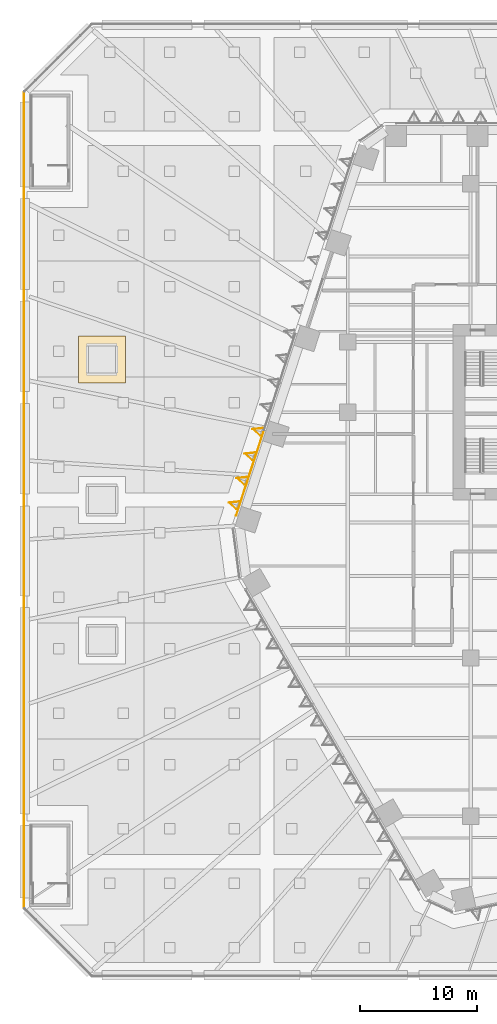
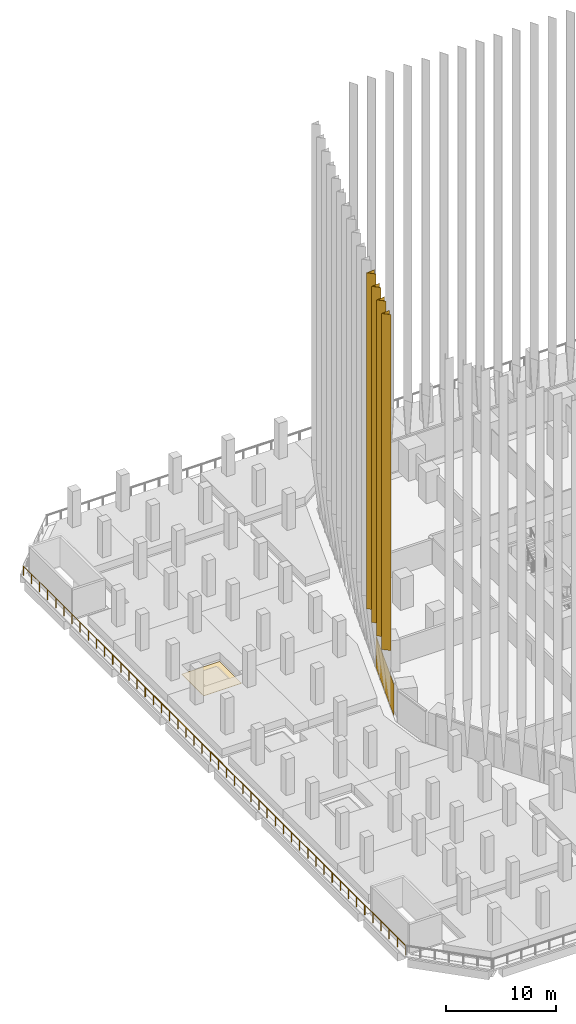
# One storey, part 33 of 51: 6 coverings, 1 railing, 1 element without a shape of its own.
"""IFC4 building model written with IfcOpenShell, lengths in metres."""

import ifcopenshell
import ifcopenshell.guid

model = None  # the IFC model being written
_history = None  # IfcOwnerHistory: only IFC2X3 demands one
_inside = {}  # id of a spatial element -> (the spatial element, [elements in it])
_under = {}  # id of a project, library or spatial element -> (it, [spatial elements below it])
_declared = {}  # id of a project -> (the project, [libraries it declares])
_typed = {}  # id of a type object -> (the type object, [elements of that type])
_made_of = {}  # id of a material, layer set ... -> (it, [elements and type objects made of it])


def new_model(schema):
    """Start an empty IFC model of exactly this schema.

    Asked for "IFC4X3", IfcOpenShell would pick the latest addendum, in which some entities
    have other attributes; the version numbers below select the first issue.
    IFC2X3 requires an IfcOwnerHistory on every rooted entity: one is made here for all.
    """
    global model, _history
    if schema == "IFC4X3":
        model = ifcopenshell.file(schema_version=(4, 3, 0, 0))
    else:
        model = ifcopenshell.file(schema=schema)
    _inside.clear()
    _under.clear()
    _declared.clear()
    _typed.clear()
    _made_of.clear()
    _history = None
    if model.schema == "IFC2X3":
        org = make("IfcOrganization", Name="unknown")
        user = make(
            "IfcPersonAndOrganization",
            ThePerson=make("IfcPerson", FamilyName="unknown"),
            TheOrganization=org,
        )
        app = make(
            "IfcApplication",
            ApplicationDeveloper=org,
            Version="unknown",
            ApplicationFullName="unknown",
            ApplicationIdentifier="unknown",
        )
        _history = make(
            "IfcOwnerHistory",
            OwningUser=user,
            OwningApplication=app,
            ChangeAction="ADDED",
            CreationDate=0,
        )
    return model


def make(cls, **values):
    """One entity of the class cls with the attributes given. An attribute that is None is left unset."""
    return model.create_entity(
        cls, **{name: value for name, value in values.items() if value is not None}
    )


def rooted(cls, **values):
    """An entity with a GlobalId (a new one), such as an element, a storey or a relation."""
    return make(cls, GlobalId=ifcopenshell.guid.new(), OwnerHistory=_history, **values)


def si_unit(unit_type, name, prefix=None):
    """IfcSIUnit, for example si_unit("LENGTHUNIT", "METRE", prefix="MILLI")."""
    return make("IfcSIUnit", UnitType=unit_type, Prefix=prefix, Name=name)


def assignment(units):
    """IfcUnitAssignment: the units of a project."""
    return None if units is None else make("IfcUnitAssignment", Units=units)


def point(xyz):
    """IfcCartesianPoint."""
    return None if xyz is None else make("IfcCartesianPoint", Coordinates=xyz)


def direction(xyz):
    """IfcDirection."""
    return None if xyz is None else make("IfcDirection", DirectionRatios=xyz)


def frame(location, z_axis=None, x_axis=None):
    """IfcAxis2Placement3D, a coordinate frame: its origin and axes. An axis left out is left unset."""
    return make(
        "IfcAxis2Placement3D",
        Location=point(location),
        Axis=direction(z_axis),
        RefDirection=direction(x_axis),
    )


def frame_2d(location, x_axis=None):
    """IfcAxis2Placement2D, a coordinate frame in the plane: its origin and x axis."""
    return make(
        "IfcAxis2Placement2D", Location=point(location), RefDirection=direction(x_axis)
    )


def origin():
    """The frame at (0, 0, 0) with its axes left unset."""
    return frame((0.0, 0.0, 0.0))


def origin_2d():
    """The frame at (0, 0) in the plane with its x axis left unset."""
    return frame_2d((0.0, 0.0))


def place(relative_to, where):
    """IfcLocalPlacement: puts the frame where relative to a parent placement (None: the world)."""
    return make(
        "IfcLocalPlacement", PlacementRelTo=relative_to, RelativePlacement=where
    )


def context(
    kind, dimensions, precision=None, world=None, true_north=None, identifier=None
):
    """IfcGeometricRepresentationContext, for example the 3D "Model" context."""
    return make(
        "IfcGeometricRepresentationContext",
        ContextIdentifier=identifier,
        ContextType=kind,
        CoordinateSpaceDimension=dimensions,
        Precision=precision,
        WorldCoordinateSystem=world,
        TrueNorth=true_north,
    )


def subcontext(parent, identifier, kind, view, scale=None):
    """IfcGeometricRepresentationSubContext, for example "Body" below "Model"."""
    return make(
        "IfcGeometricRepresentationSubContext",
        ContextIdentifier=identifier,
        ContextType=kind,
        ParentContext=parent,
        TargetScale=scale,
        TargetView=view,
    )


def project(units=None, contexts=None):
    """IfcProject with its units and contexts."""
    return rooted(
        "IfcProject",
        Name="project",
        RepresentationContexts=contexts,
        UnitsInContext=assignment(units),
    )


def spatial(cls, under=None, at=None, **own):
    """A site, building, storey or space (cls), placed at a placement, below another one or the project."""
    s = rooted(cls, ObjectPlacement=at, **own)
    if under is not None:
        _under.setdefault(under.id(), (under, []))[1].append(s)
    return s


def polyline(points):
    """IfcPolyline through the points."""
    return make("IfcPolyline", Points=[point(p) for p in points])


def profile(cls, at=None, kind="AREA", **sizes):
    """A parametric profile (cls). Its sizes go by their IFC names, for example OverallWidth=200.0."""
    return make(cls, ProfileType=kind, Position=at, **sizes)


def rectangle(**sizes):
    """IfcRectangleProfileDef."""
    return profile("IfcRectangleProfileDef", **sizes)


def circle(**sizes):
    """IfcCircleProfileDef."""
    return profile("IfcCircleProfileDef", **sizes)


def outline(outer, holes=None, kind="AREA"):
    """IfcArbitraryClosedProfileDef: a profile drawn as a closed curve; with holes, ...WithVoids."""
    if holes is None:
        return make("IfcArbitraryClosedProfileDef", ProfileType=kind, OuterCurve=outer)
    return make(
        "IfcArbitraryProfileDefWithVoids",
        ProfileType=kind,
        OuterCurve=outer,
        InnerCurves=holes,
    )


def extrude(swept, where, along, depth):
    """IfcExtrudedAreaSolid: the profile swept, set in the frame where, extruded along a direction by depth."""
    return make(
        "IfcExtrudedAreaSolid",
        SweptArea=swept,
        Position=where,
        ExtrudedDirection=direction(along),
        Depth=depth,
    )


def shape(context_of_items, identifier, shape_type, items):
    """IfcShapeRepresentation: the items that make up one representation, for example the "Body"."""
    return make(
        "IfcShapeRepresentation",
        ContextOfItems=context_of_items,
        RepresentationIdentifier=identifier,
        RepresentationType=shape_type,
        Items=items,
    )


def material(Name=None, Category=None):
    """IfcMaterial."""
    return make("IfcMaterial", Name=Name, Category=Category)


def layer(
    of_material, thickness, ventilated=None, Name=None, Category=None, Priority=None
):
    """IfcMaterialLayer: one layer of a wall or slab, of a material (None: an air gap)."""
    return make(
        "IfcMaterialLayer",
        Material=of_material,
        LayerThickness=thickness,
        IsVentilated=ventilated,
        Name=Name,
        Category=Category,
        Priority=Priority,
    )


def layer_set(layers, Name=None):
    """IfcMaterialLayerSet."""
    return make("IfcMaterialLayerSet", MaterialLayers=layers, LayerSetName=Name)


def material_profile(
    of_material, cross_section, Name=None, Category=None, Priority=None
):
    """IfcMaterialProfile: a cross section and its material."""
    return make(
        "IfcMaterialProfile",
        Name=Name,
        Material=of_material,
        Profile=cross_section,
        Priority=Priority,
        Category=Category,
    )


def profile_set(profiles, Name=None, composite=None):
    """IfcMaterialProfileSet."""
    return make(
        "IfcMaterialProfileSet",
        Name=Name,
        MaterialProfiles=profiles,
        CompositeProfile=composite,
    )


def made_of(thing, what):
    """Note that an element or type object is made of a material, layer set ...; save() writes the relation."""
    if what is not None:
        _made_of.setdefault(what.id(), (what, []))[1].append(thing)
    return thing


def type_object(cls, material=None, **own):
    """A type object (cls), such as IfcWallType, which elements share."""
    return made_of(rooted(cls, **own), material)


def element(
    cls,
    number,
    at=None,
    inside=None,
    cuts=None,
    type_object=None,
    material=None,
    context=None,
    identifier="Body",
    shape_type=None,
    held_by="IfcProductDefinitionShape",
    body=None,
    shapes=None,
    **own,
):
    """One element of the class cls, such as IfcWall. Its Tag is "e" and its number.

    at: its placement. inside: the storey or other place that contains it. cuts: it is an
    opening in that element (IfcRelVoidsElement). A single representation is given by context,
    identifier, shape_type and body (its items); several are given by shapes. held_by: the class
    of the entity that holds the representations. save() writes the other relations.
    """
    e = rooted(cls, Tag="e%d" % number, ObjectPlacement=at, **own)
    if body is not None:
        shapes = [shape(context, identifier, shape_type, body)]
    if shapes is not None:
        e.Representation = make(held_by, Representations=shapes)
    if inside is not None:
        _inside.setdefault(inside.id(), (inside, []))[1].append(e)
    if cuts is not None:
        rooted(
            "IfcRelVoidsElement", RelatingBuildingElement=cuts, RelatedOpeningElement=e
        )
    if type_object is not None:
        _typed.setdefault(type_object.id(), (type_object, []))[1].append(e)
    return made_of(e, material)


def aggregate(whole, parts):
    """IfcRelAggregates: a whole, such as a stair, and the parts it consists of."""
    return rooted("IfcRelAggregates", RelatingObject=whole, RelatedObjects=parts)


def save(model, path):
    """Write the relations noted so far, then the file.

    IfcRelAggregates (storeys below a building ...), IfcRelContainedInSpatialStructure (elements
    in a storey), IfcRelDefinesByType, IfcRelAssociatesMaterial and IfcRelDeclares: one each for
    every whole, place, type object, material and project.
    """
    for whole, parts in _under.values():
        aggregate(whole, parts)
    for where, things in _inside.values():
        rooted(
            "IfcRelContainedInSpatialStructure",
            RelatedElements=things,
            RelatingStructure=where,
        )
    for kind, things in _typed.values():
        rooted("IfcRelDefinesByType", RelatedObjects=things, RelatingType=kind)
    for what, things in _made_of.values():
        rooted("IfcRelAssociatesMaterial", RelatedObjects=things, RelatingMaterial=what)
    for by, libraries in _declared.values():
        rooted("IfcRelDeclares", RelatingContext=by, RelatedDefinitions=libraries)
    model.write(path)


model = new_model("IFC4")

# Units and contexts
model_context = context("Model", 3, precision=1e-05, world=origin(), true_north=direction((0.0, 1.0)))
body_context = subcontext(model_context, "Body", "Model", "MODEL_VIEW")
ifc_project = project(units=[si_unit("LENGTHUNIT", "METRE"), si_unit("AREAUNIT", "SQUARE_METRE"), si_unit("VOLUMEUNIT", "CUBIC_METRE"), si_unit("PLANEANGLEUNIT", "RADIAN"), si_unit("MASSUNIT", "GRAM", prefix="KILO")], contexts=[model_context])

# Site, building, storey
site_placement = place(None, origin())
site = spatial("IfcSite", under=ifc_project, at=site_placement, CompositionType="ELEMENT")
building_placement = place(site_placement, origin())
building = spatial("IfcBuilding", under=site, at=building_placement, Name="Isthmus Gate Tower", CompositionType="ELEMENT")
storey_placement = place(building_placement, frame((0.0, 0.0, 36.0)))
storey = spatial("IfcBuildingStorey", under=building, at=storey_placement, Name="L06", CompositionType="ELEMENT", Elevation=36.0)

# Curtain wall, covering
ifc_material_1 = material(Name="Aluminium, pale champagne anodised", Category="aluminium")
ifc_layer_1 = layer(ifc_material_1, 0.199951171875)
ifc_layer_set_1 = layer_set([ifc_layer_1], Name="CW-1 UNITISED CURTAIN WALL 200 DEEP")
curtain_wall_type = type_object("IfcCurtainWallType", Name="CW-1 UNITISED CURTAIN WALL 200 DEEP", PredefinedType="NOTDEFINED", material=ifc_layer_set_1)
curtain_wall_placement = place(storey_placement, origin())
curtain_wall = element("IfcCurtainWall", 1, at=curtain_wall_placement, inside=storey, type_object=curtain_wall_type, Name="CW-1 NW L06", PredefinedType="NOTDEFINED")
ifc_material_2 = material(Name="Aluminium composite panel, pale champagne anodised", Category="aluminium")
ifc_layer_2 = layer(ifc_material_2, 0.0400390625)
ifc_layer_set_2 = layer_set([ifc_layer_2], Name="CW-1 PALE METAL PANEL 40")
covering_type_1 = type_object("IfcCoveringType", Name="CW-1 PALE METAL PANEL 40", PredefinedType="CLADDING", material=ifc_layer_set_2)
covering_1_placement = place(storey_placement, frame((-32.35107421875, 2.30712890625, 0.0), z_axis=(0.0, 0.0, 1.0), x_axis=(-0.309016994375, -0.951056516295, 0.0)))
covering_1 = element("IfcCovering", 2, at=covering_1_placement, type_object=covering_type_1, Name="CW-1 pale metal panel", PredefinedType="CLADDING", context=body_context, shape_type="SweptSolid", body=[
    extrude(rectangle(XDim=7.689453125, YDim=0.0400390625, at=origin_2d()), origin(), (0.0, 0.0, 1.0), 3.5),
])
aggregate(curtain_wall, [covering_1])

# Coverings
ifc_material_3 = material(Name="Structural steel ASTM A572 Gr 50, white paint system", Category="steel")
ifc_material_profile = material_profile(ifc_material_3, outline(polyline([(0.0, -0.356201171875), (0.800048828125, 0.0), (0.0, 0.356201171875), (0.0, 0.3232421875), (0.726318359375, 0.0), (0.0, -0.3232421875), (0.0, -0.356201171875)])), Name="V800")
ifc_profile_set = profile_set([ifc_material_profile], Name="Structural steel ASTM A572 Gr 50, white paint system")
covering_type_2 = type_object("IfcCoveringType", Name="FIN V 800 DEEP", PredefinedType="CLADDING", material=ifc_profile_set)
for number, where, z_axis, x_axis, name in (
    (3, (-31.389892578125, 5.81591796875, 6.89990234375), (0.0, 0.0, 1.0), (-0.951056516295, 0.309016994375, 0.0), "FIN"),
    (4, (-32.069580078125, 3.7236328125, 6.89990234375), (0.0, 0.0, 1.0), (-0.951056516295, 0.309016994375, 0.0), "FIN"),
    (5, (-32.74951171875, 1.63134765625, 6.89990234375), (0.0, 0.0, 1.0), (-0.951056516295, 0.309016994375, 0.0), "FIN"),
    (6, (-33.429443359375, -0.461181640625, 6.89990234375), (0.0, 0.0, 1.0), (-0.951056516295, 0.309016994375, 0.0), "FIN"),
):
    element("IfcCovering", number, at=place(storey_placement, frame(where, z_axis=z_axis, x_axis=x_axis)), inside=storey, type_object=covering_type_2, Name=name, ObjectType="FIN", PredefinedType="CLADDING", context=body_context, shape_type="SweptSolid", body=[
        extrude(outline(polyline([(0.0, -0.356201171875), (0.800048828125, 0.0), (0.0, 0.356201171875), (0.0, 0.3232421875), (0.726318359375, 0.0), (0.0, -0.3232421875), (0.0, -0.356201171875)])), origin(), (0.0, 0.0, 1.0), 37.35009765625),
    ])

# Railing
ifc_material_4 = material(Name="Stainless steel posts and toughened laminated glass", Category="steel")
railing_type = type_object("IfcRailingType", Name="GUARD 1100 TERRACE GLASS", PredefinedType="GUARDRAIL", material=ifc_material_4)
railing_placement = place(storey_placement, frame((-51.64990234375, -34.794921875, 0.0)))
element("IfcRailing", 7, at=railing_placement, inside=storey, type_object=railing_type, Name="TERRACE GUARD", PredefinedType="GUARDRAIL", context=body_context, shape_type="SweptSolid", body=[
    extrude(circle(Radius=0.02490234375, at=origin_2d()), frame((0.0, 0.0, 1.0751953125), z_axis=(0.0, 1.0, 0.0), x_axis=(-1.0, 0.0, 0.0)), (0.0, 0.0, 1.0), 69.58984375),
    extrude(circle(Radius=0.02490234375, at=origin_2d()), origin(), (0.0, 0.0, 1.0), 1.050048828125),
    extrude(circle(Radius=0.02490234375, at=origin_2d()), frame((0.0, 1.480712890625, 0.0)), (0.0, 0.0, 1.0), 1.050048828125),
    extrude(circle(Radius=0.02490234375, at=origin_2d()), frame((0.0, 2.961181640625, 0.0)), (0.0, 0.0, 1.0), 1.050048828125),
    extrude(circle(Radius=0.02490234375, at=origin_2d()), frame((0.0, 4.44189453125, 0.0)), (0.0, 0.0, 1.0), 1.050048828125),
    extrude(circle(Radius=0.02490234375, at=origin_2d()), frame((0.0, 5.922607421875, 0.0)), (0.0, 0.0, 1.0), 1.050048828125),
    extrude(circle(Radius=0.02490234375, at=origin_2d()), frame((0.0, 7.403076171875, 0.0)), (0.0, 0.0, 1.0), 1.050048828125),
    extrude(circle(Radius=0.02490234375, at=origin_2d()), frame((0.0, 8.8837890625, 0.0)), (0.0, 0.0, 1.0), 1.050048828125),
    extrude(circle(Radius=0.02490234375, at=origin_2d()), frame((0.0, 10.364501953125, 0.0)), (0.0, 0.0, 1.0), 1.050048828125),
    extrude(circle(Radius=0.02490234375, at=origin_2d()), frame((0.0, 11.844970703125, 0.0)), (0.0, 0.0, 1.0), 1.050048828125),
    extrude(circle(Radius=0.02490234375, at=origin_2d()), frame((0.0, 13.32568359375, 0.0)), (0.0, 0.0, 1.0), 1.050048828125),
    extrude(circle(Radius=0.02490234375, at=origin_2d()), frame((0.0, 14.806396484375, 0.0)), (0.0, 0.0, 1.0), 1.050048828125),
    extrude(circle(Radius=0.02490234375, at=origin_2d()), frame((0.0, 16.286865234375, 0.0)), (0.0, 0.0, 1.0), 1.050048828125),
    extrude(circle(Radius=0.02490234375, at=origin_2d()), frame((0.0, 17.767578125, 0.0)), (0.0, 0.0, 1.0), 1.050048828125),
    extrude(circle(Radius=0.02490234375, at=origin_2d()), frame((0.0, 19.248291015625, 0.0)), (0.0, 0.0, 1.0), 1.050048828125),
    extrude(circle(Radius=0.02490234375, at=origin_2d()), frame((0.0, 20.72900390625, 0.0)), (0.0, 0.0, 1.0), 1.050048828125),
    extrude(circle(Radius=0.02490234375, at=origin_2d()), frame((0.0, 22.20947265625, 0.0)), (0.0, 0.0, 1.0), 1.050048828125),
    extrude(circle(Radius=0.02490234375, at=origin_2d()), frame((0.0, 23.690185546875, 0.0)), (0.0, 0.0, 1.0), 1.050048828125),
    extrude(circle(Radius=0.02490234375, at=origin_2d()), frame((0.0, 25.1708984375, 0.0)), (0.0, 0.0, 1.0), 1.050048828125),
    extrude(circle(Radius=0.02490234375, at=origin_2d()), frame((0.0, 26.6513671875, 0.0)), (0.0, 0.0, 1.0), 1.050048828125),
    extrude(circle(Radius=0.02490234375, at=origin_2d()), frame((0.0, 28.132080078125, 0.0)), (0.0, 0.0, 1.0), 1.050048828125),
    extrude(circle(Radius=0.02490234375, at=origin_2d()), frame((0.0, 29.61279296875, 0.0)), (0.0, 0.0, 1.0), 1.050048828125),
    extrude(circle(Radius=0.02490234375, at=origin_2d()), frame((0.0, 31.09326171875, 0.0)), (0.0, 0.0, 1.0), 1.050048828125),
    extrude(circle(Radius=0.02490234375, at=origin_2d()), frame((0.0, 32.573974609375, 0.0)), (0.0, 0.0, 1.0), 1.050048828125),
    extrude(circle(Radius=0.02490234375, at=origin_2d()), frame((0.0, 34.0546875, 0.0)), (0.0, 0.0, 1.0), 1.050048828125),
    extrude(circle(Radius=0.02490234375, at=origin_2d()), frame((0.0, 35.53515625, 0.0)), (0.0, 0.0, 1.0), 1.050048828125),
    extrude(circle(Radius=0.02490234375, at=origin_2d()), frame((0.0, 37.015869140625, 0.0)), (0.0, 0.0, 1.0), 1.050048828125),
    extrude(circle(Radius=0.02490234375, at=origin_2d()), frame((0.0, 38.49658203125, 0.0)), (0.0, 0.0, 1.0), 1.050048828125),
    extrude(circle(Radius=0.02490234375, at=origin_2d()), frame((0.0, 39.97705078125, 0.0)), (0.0, 0.0, 1.0), 1.050048828125),
    extrude(circle(Radius=0.02490234375, at=origin_2d()), frame((0.0, 41.457763671875, 0.0)), (0.0, 0.0, 1.0), 1.050048828125),
    extrude(circle(Radius=0.02490234375, at=origin_2d()), frame((0.0, 42.9384765625, 0.0)), (0.0, 0.0, 1.0), 1.050048828125),
    extrude(circle(Radius=0.02490234375, at=origin_2d()), frame((0.0, 44.4189453125, 0.0)), (0.0, 0.0, 1.0), 1.050048828125),
    extrude(circle(Radius=0.02490234375, at=origin_2d()), frame((0.0, 45.899658203125, 0.0)), (0.0, 0.0, 1.0), 1.050048828125),
    extrude(circle(Radius=0.02490234375, at=origin_2d()), frame((0.0, 47.38037109375, 0.0)), (0.0, 0.0, 1.0), 1.050048828125),
    extrude(circle(Radius=0.02490234375, at=origin_2d()), frame((0.0, 48.86083984375, 0.0)), (0.0, 0.0, 1.0), 1.050048828125),
    extrude(circle(Radius=0.02490234375, at=origin_2d()), frame((0.0, 50.341552734375, 0.0)), (0.0, 0.0, 1.0), 1.050048828125),
    extrude(circle(Radius=0.02490234375, at=origin_2d()), frame((0.0, 51.822265625, 0.0)), (0.0, 0.0, 1.0), 1.050048828125),
    extrude(circle(Radius=0.02490234375, at=origin_2d()), frame((0.0, 53.302978515625, 0.0)), (0.0, 0.0, 1.0), 1.050048828125),
    extrude(circle(Radius=0.02490234375, at=origin_2d()), frame((0.0, 54.783447265625, 0.0)), (0.0, 0.0, 1.0), 1.050048828125),
    extrude(circle(Radius=0.02490234375, at=origin_2d()), frame((0.0, 56.26416015625, 0.0)), (0.0, 0.0, 1.0), 1.050048828125),
    extrude(circle(Radius=0.02490234375, at=origin_2d()), frame((0.0, 57.744873046875, 0.0)), (0.0, 0.0, 1.0), 1.050048828125),
    extrude(circle(Radius=0.02490234375, at=origin_2d()), frame((0.0, 59.225341796875, 0.0)), (0.0, 0.0, 1.0), 1.050048828125),
    extrude(circle(Radius=0.02490234375, at=origin_2d()), frame((0.0, 60.7060546875, 0.0)), (0.0, 0.0, 1.0), 1.050048828125),
    extrude(circle(Radius=0.02490234375, at=origin_2d()), frame((0.0, 62.186767578125, 0.0)), (0.0, 0.0, 1.0), 1.050048828125),
    extrude(circle(Radius=0.02490234375, at=origin_2d()), frame((0.0, 63.667236328125, 0.0)), (0.0, 0.0, 1.0), 1.050048828125),
    extrude(circle(Radius=0.02490234375, at=origin_2d()), frame((0.0, 65.14794921875, 0.0)), (0.0, 0.0, 1.0), 1.050048828125),
    extrude(circle(Radius=0.02490234375, at=origin_2d()), frame((0.0, 66.628662109375, 0.0)), (0.0, 0.0, 1.0), 1.050048828125),
    extrude(circle(Radius=0.02490234375, at=origin_2d()), frame((0.0, 68.109130859375, 0.0)), (0.0, 0.0, 1.0), 1.050048828125),
    extrude(circle(Radius=0.02490234375, at=origin_2d()), frame((0.0, 69.58984375, 0.0)), (0.0, 0.0, 1.0), 1.050048828125),
])

# Covering
ifc_material_5 = material(Name="Granite paving slabs on pedestals", Category="masonry")
ifc_layer_3 = layer(ifc_material_5, 0.0400390625)
ifc_layer_set_3 = layer_set([ifc_layer_3], Name="TERRACE PAVING 40")
covering_type_3 = type_object("IfcCoveringType", Name="TERRACE PAVING 40", PredefinedType="FLOORING", material=ifc_layer_set_3)
covering_2_placement = place(storey_placement, origin())
element("IfcCovering", 8, at=covering_2_placement, inside=storey, type_object=covering_type_3, Name="TERRACE PAVING", PredefinedType="FLOORING", context=body_context, shape_type="SweptSolid", body=[
    extrude(outline(polyline([(-43.0, 14.0), (-43.0, 10.5), (-43.0, 10.0), (-47.0, 10.0), (-47.0, 10.5), (-47.0, 14.0), (-43.0, 14.0)])), origin(), (0.0, 0.0, 1.0), 0.0400390625),
])

save(model, "model.ifc")
